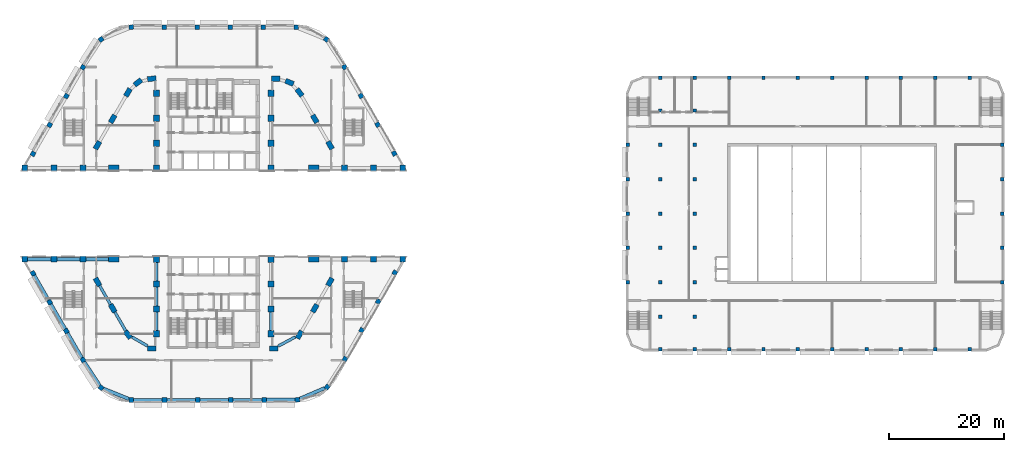
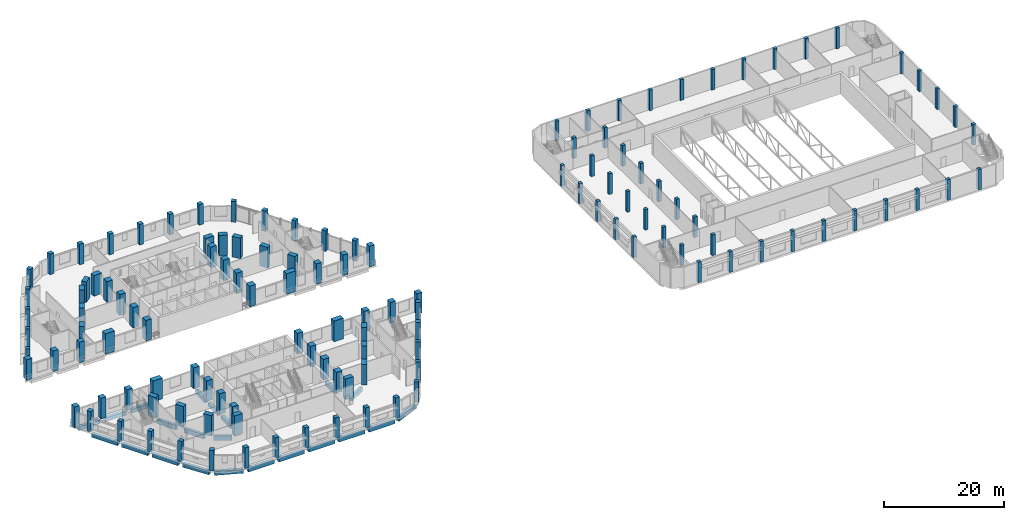
# One storey, part 1 of 47: 126 columns, 22 beams.
"""IFC4 building model written with IfcOpenShell, lengths in metres."""

from ifc_helpers import new_model, si_unit, direction, frame, origin, origin_2d, place, context, subcontext, project, spatial, rectangle, extrude, material, material_profile, profile_set, type_object, element, save


model = new_model("IFC4")

# Units and contexts
model_context = context("Model", 3, precision=1e-05, world=origin(), true_north=direction((0.0, 1.0)))
body_context = subcontext(model_context, "Body", "Model", "MODEL_VIEW")
ifc_project = project(units=[si_unit("LENGTHUNIT", "METRE"), si_unit("AREAUNIT", "SQUARE_METRE"), si_unit("VOLUMEUNIT", "CUBIC_METRE"), si_unit("PLANEANGLEUNIT", "RADIAN"), si_unit("MASSUNIT", "GRAM", prefix="KILO")], contexts=[model_context])

# Site, building, storey
site_placement = place(None, origin())
site = spatial("IfcSite", under=ifc_project, at=site_placement, CompositionType="ELEMENT")
building_placement = place(site_placement, origin())
building = spatial("IfcBuilding", under=site, at=building_placement, Name="Nakaniwa Court", CompositionType="ELEMENT")
storey_placement = place(building_placement, frame((0.0, 0.0, 15.60009765625)))
storey = spatial("IfcBuildingStorey", under=building, at=storey_placement, Name="L03", CompositionType="ELEMENT", Elevation=15.60009765625)

# Columns
ifc_material_1 = material(Name="Concrete C100/115", Category="concrete")
ifc_material_profile_1 = material_profile(ifc_material_1, rectangle(XDim=1.0, YDim=1.0, at=origin_2d()), Name="Concrete C100/115 RC 1000x1000 portal edge column")
ifc_profile_set_1 = profile_set([ifc_material_profile_1], Name="Concrete C100/115")
column_type_1 = type_object("IfcColumnType", Name="Concrete C100/115 RC 1000x1000 portal edge column", PredefinedType="COLUMN", material=ifc_profile_set_1)
for number, where, z_axis, x_axis, name in (
    (1, (102.822998046875, 87.949951171875, 0.0), (0.0, 0.0, 1.0), (1.0, 0.0, 0.0), "COLUMN CP-03"),
    (2, (102.822998046875, 72.050048828125, 0.0), (0.0, 0.0, 1.0), (1.0, 0.0, 0.0), "COLUMN CP-04"),
    (3, (107.908935546875, 87.949951171875, 0.0), (0.0, 0.0, 1.0), (1.0, 0.0, 0.0), "COLUMN CP-05"),
    (4, (107.908935546875, 72.050048828125, 0.0), (0.0, 0.0, 1.0), (1.0, 0.0, 0.0), "COLUMN CP-06"),
    (5, (112.99609375, 87.949951171875, 0.0), (0.0, 0.0, 1.0), (1.0, 0.0, 0.0), "COLUMN CP-07"),
    (6, (112.99609375, 72.050048828125, 0.0), (0.0, 0.0, 1.0), (1.0, 0.0, 0.0), "COLUMN CP-08"),
    (7, (57.177001953125, 87.949951171875, 0.0), (0.0, 0.0, 1.0), (1.0, 0.0, 0.0), "COLUMN CP-11"),
    (8, (57.177001953125, 72.050048828125, 0.0), (0.0, 0.0, 1.0), (1.0, 0.0, 0.0), "COLUMN CP-12"),
    (9, (52.091064453125, 87.949951171875, 0.0), (0.0, 0.0, 1.0), (1.0, 0.0, 0.0), "COLUMN CP-13"),
    (10, (52.091064453125, 72.050048828125, 0.0), (0.0, 0.0, 1.0), (1.0, 0.0, 0.0), "COLUMN CP-14"),
    (11, (47.00390625, 87.949951171875, 0.0), (0.0, 0.0, 1.0), (1.0, 0.0, 0.0), "COLUMN CP-15"),
    (12, (47.00390625, 72.050048828125, 0.0), (0.0, 0.0, 1.0), (1.0, 0.0, 0.0), "COLUMN CP-16"),
):
    element("IfcColumn", number, at=place(storey_placement, frame(where, z_axis=z_axis, x_axis=x_axis)), inside=storey, type_object=column_type_1, Name=name, PredefinedType="COLUMN", context=body_context, shape_type="SweptSolid", body=[
        extrude(rectangle(XDim=1.0, YDim=1.0, at=origin_2d()), origin(), (0.0, 0.0, 1.0), 4.199951171875),
    ])
ifc_material_profile_2 = material_profile(ifc_material_1, rectangle(XDim=1.10009765625, YDim=1.10009765625, at=origin_2d()), Name="Concrete C100/115 RC 1100x1100 spine column")
ifc_profile_set_2 = profile_set([ifc_material_profile_2], Name="Concrete C100/115")
column_type_2 = type_object("IfcColumnType", Name="Concrete C100/115 RC 1100x1100 spine column", PredefinedType="COLUMN", material=ifc_profile_set_2)
for number, where, z_axis, x_axis, name in (
    (13, (90.0, 59.0, 0.0), (0.0, 0.0, 1.0), (0.0, 1.0, 0.0), "COLUMN CS-01"),
    (14, (90.0, 63.35009765625, 0.0), (0.0, 0.0, 1.0), (0.0, 1.0, 0.0), "COLUMN CS-02"),
    (15, (90.0, 67.699951171875, 0.0), (0.0, 0.0, 1.0), (0.0, 1.0, 0.0), "COLUMN CS-03"),
    (16, (90.0, 72.050048828125, 0.0), (0.0, 0.0, 1.0), (0.0, 1.0, 0.0), "COLUMN CS-04"),
    (17, (90.0, 87.949951171875, 0.0), (0.0, 0.0, 1.0), (0.0, 1.0, 0.0), "COLUMN CS-07"),
    (18, (90.0, 92.300048828125, 0.0), (0.0, 0.0, 1.0), (0.0, 1.0, 0.0), "COLUMN CS-08"),
    (19, (90.0, 96.64990234375, 0.0), (0.0, 0.0, 1.0), (0.0, 1.0, 0.0), "COLUMN CS-09"),
    (20, (90.0, 101.0, 0.0), (0.0, 0.0, 1.0), (0.0, 1.0, 0.0), "COLUMN CS-10"),
    (21, (70.0, 101.0, 0.0), (0.0, 0.0, 1.0), (0.0, -1.0, 0.0), "COLUMN CS-11"),
    (22, (70.0, 96.64990234375, 0.0), (0.0, 0.0, 1.0), (0.0, -1.0, 0.0), "COLUMN CS-12"),
    (23, (70.0, 92.300048828125, 0.0), (0.0, 0.0, 1.0), (0.0, -1.0, 0.0), "COLUMN CS-13"),
    (24, (70.0, 87.949951171875, 0.0), (0.0, 0.0, 1.0), (0.0, -1.0, 0.0), "COLUMN CS-14"),
    (25, (70.0, 72.050048828125, 0.0), (0.0, 0.0, 1.0), (0.0, -1.0, 0.0), "COLUMN CS-17"),
    (26, (70.0, 67.699951171875, 0.0), (0.0, 0.0, 1.0), (0.0, -1.0, 0.0), "COLUMN CS-18"),
    (27, (70.0, 63.35009765625, 0.0), (0.0, 0.0, 1.0), (0.0, -1.0, 0.0), "COLUMN CS-19"),
    (28, (70.0, 59.0, 0.0), (0.0, 0.0, 1.0), (0.0, -1.0, 0.0), "COLUMN CS-20"),
):
    element("IfcColumn", number, at=place(storey_placement, frame(where, z_axis=z_axis, x_axis=x_axis)), inside=storey, type_object=column_type_2, Name=name, PredefinedType="COLUMN", context=body_context, shape_type="SweptSolid", body=[
        extrude(rectangle(XDim=1.10009765625, YDim=1.10009765625, at=origin_2d()), origin(), (0.0, 0.0, 1.0), 4.199951171875),
    ])
ifc_material_profile_3 = material_profile(ifc_material_1, rectangle(XDim=1.5, YDim=0.89990234375, at=origin_2d()), Name="Concrete C100/115 RC 1500x900 perimeter column")
ifc_profile_set_3 = profile_set([ifc_material_profile_3], Name="Concrete C100/115")
column_type_3 = type_object("IfcColumnType", Name="Concrete C100/115 RC 1500x900 perimeter column", PredefinedType="COLUMN", material=ifc_profile_set_3)
for number, where, z_axis, x_axis, name in (
    (29, (69.17529296875, 103.550048828125, 0.0), (0.0, 0.0, 1.0), (-0.991442583111, -0.130543496177, 0.0), "COLUMN CO-01"),
    (30, (66.772705078125, 102.91015625, 0.0), (0.0, 0.0, 1.0), (-0.793363965062, -0.608747582288, 0.0), "COLUMN CO-02"),
    (31, (65.017578125, 101.1494140625, 0.0), (0.0, 0.0, 1.0), (-0.5, -0.866025403784, 0.0), "COLUMN CO-03"),
    (32, (62.3544921875, 96.537109375, 0.0), (0.0, 0.0, 1.0), (-0.5, -0.866025403784, 0.0), "COLUMN CO-04"),
    (33, (59.691650390625, 91.9248046875, 0.0), (0.0, 0.0, 1.0), (-0.5, -0.866025403784, 0.0), "COLUMN CO-05"),
    (34, (59.691650390625, 68.0751953125, 0.0), (0.0, 0.0, 1.0), (0.5, -0.866025403784, 0.0), "COLUMN CO-14"),
    (35, (62.3544921875, 63.462890625, 0.0), (0.0, 0.0, 1.0), (0.5, -0.866025403784, 0.0), "COLUMN CO-15"),
    (36, (65.017578125, 58.8505859375, 0.0), (0.0, 0.0, 1.0), (0.608761429009, -0.793353340291, 0.0), "COLUMN CO-16"),
    (37, (69.17529296875, 56.449951171875, 0.0), (0.0, 0.0, 1.0), (1.0, 0.0, 0.0), "COLUMN CO-17"),
    (38, (90.507080078125, 56.449951171875, 0.0), (0.0, 0.0, 1.0), (1.0, 0.0, 0.0), "COLUMN CO-21"),
    (39, (94.982421875, 58.8505859375, 0.0), (0.0, 0.0, 1.0), (0.5, 0.866025403784, 0.0), "COLUMN CO-22"),
    (40, (97.6455078125, 63.462890625, 0.0), (0.0, 0.0, 1.0), (0.5, 0.866025403784, 0.0), "COLUMN CO-23"),
    (41, (100.308349609375, 68.0751953125, 0.0), (0.0, 0.0, 1.0), (0.5, 0.866025403784, 0.0), "COLUMN CO-24"),
    (42, (100.308349609375, 91.9248046875, 0.0), (0.0, 0.0, 1.0), (-0.5, 0.866025403784, 0.0), "COLUMN CO-33"),
    (43, (97.6455078125, 96.537109375, 0.0), (0.0, 0.0, 1.0), (-0.5, 0.866025403784, 0.0), "COLUMN CO-34"),
    (44, (94.982421875, 101.1494140625, 0.0), (0.0, 0.0, 1.0), (-0.608761429009, 0.793353340291, 0.0), "COLUMN CO-35"),
    (45, (93.227294921875, 102.91015625, 0.0), (0.0, 0.0, 1.0), (-0.923879532511, 0.382683432365, 0.0), "COLUMN CO-36"),
    (46, (90.82470703125, 103.550048828125, 0.0), (0.0, 0.0, 1.0), (-1.0, 0.0, 0.0), "COLUMN CO-37"),
):
    element("IfcColumn", number, at=place(storey_placement, frame(where, z_axis=z_axis, x_axis=x_axis)), inside=storey, type_object=column_type_3, Name=name, PredefinedType="COLUMN", context=body_context, shape_type="SweptSolid", body=[
        extrude(rectangle(XDim=1.5, YDim=0.89990234375, at=origin_2d()), origin(), (0.0, 0.0, 1.0), 4.199951171875),
    ])
ifc_material_profile_4 = material_profile(ifc_material_1, rectangle(XDim=1.800048828125, YDim=1.0, at=origin_2d()), Name="Concrete C100/115 RC 1800x1000 portal edge column")
ifc_profile_set_4 = profile_set([ifc_material_profile_4], Name="Concrete C100/115")
column_type_4 = type_object("IfcColumnType", Name="Concrete C100/115 RC 1800x1000 portal edge column", PredefinedType="COLUMN", material=ifc_profile_set_4)
for number, where, z_axis, x_axis, name in (
    (47, (97.4580078125, 87.949951171875, 0.0), (0.0, 0.0, 1.0), (1.0, 0.0, 0.0), "COLUMN CP-01"),
    (48, (97.4580078125, 72.050048828125, 0.0), (0.0, 0.0, 1.0), (1.0, 0.0, 0.0), "COLUMN CP-02"),
    (49, (62.5419921875, 87.949951171875, 0.0), (0.0, 0.0, 1.0), (1.0, 0.0, 0.0), "COLUMN CP-09"),
    (50, (62.5419921875, 72.050048828125, 0.0), (0.0, 0.0, 1.0), (1.0, 0.0, 0.0), "COLUMN CP-10"),
):
    element("IfcColumn", number, at=place(storey_placement, frame(where, z_axis=z_axis, x_axis=x_axis)), inside=storey, type_object=column_type_4, Name=name, PredefinedType="COLUMN", context=body_context, shape_type="SweptSolid", body=[
        extrude(rectangle(XDim=1.800048828125, YDim=1.0, at=origin_2d()), origin(), (0.0, 0.0, 1.0), 4.199951171875),
    ])
ifc_material_profile_5 = material_profile(ifc_material_1, rectangle(XDim=0.800048828125, YDim=0.800048828125, at=origin_2d()), Name="Concrete C100/115 RC 800x800 podium skirt column")
ifc_profile_set_5 = profile_set([ifc_material_profile_5], Name="Concrete C100/115")
column_type_5 = type_object("IfcColumnType", Name="Concrete C100/115 RC 800x800 podium skirt column", PredefinedType="COLUMN", material=ifc_profile_set_5)
for number, where, z_axis, x_axis, name in (
    (51, (65.595703125, 112.550048828125, 0.0), (0.0, 0.0, 1.0), (-0.991444861374, -0.13052619222, 0.0), "COLUMN CK-01"),
    (52, (60.32763671875, 110.41064453125, 0.0), (0.0, 0.0, 1.0), (-0.793353340291, -0.608761429009, 0.0), "COLUMN CK-02"),
    (53, (57.165771484375, 105.550048828125, 0.0), (0.0, 0.0, 1.0), (-0.5, -0.866025403784, 0.0), "COLUMN CK-03"),
    (54, (54.25732421875, 100.5126953125, 0.0), (0.0, 0.0, 1.0), (-0.5, -0.866025403784, 0.0), "COLUMN CK-04"),
    (55, (51.34912109375, 95.47509765625, 0.0), (0.0, 0.0, 1.0), (-0.5, -0.866025403784, 0.0), "COLUMN CK-05"),
    (56, (48.440673828125, 90.437744140625, 0.0), (0.0, 0.0, 1.0), (-0.5, -0.866025403784, 0.0), "COLUMN CK-06"),
    (57, (48.440673828125, 69.562255859375, 0.0), (0.0, 0.0, 1.0), (0.5, -0.866025403784, 0.0), "COLUMN CK-10"),
    (58, (51.34912109375, 64.52490234375, 0.0), (0.0, 0.0, 1.0), (0.5, -0.866025403784, 0.0), "COLUMN CK-11"),
    (59, (54.25732421875, 59.4873046875, 0.0), (0.0, 0.0, 1.0), (0.5, -0.866025403784, 0.0), "COLUMN CK-12"),
    (60, (57.165771484375, 54.449951171875, 0.0), (0.0, 0.0, 1.0), (0.5, -0.866025403784, 0.0), "COLUMN CK-13"),
    (61, (60.32763671875, 49.58935546875, 0.0), (0.0, 0.0, 1.0), (0.793353340291, -0.608761429009, 0.0), "COLUMN CK-14"),
    (62, (65.595703125, 47.449951171875, 0.0), (0.0, 0.0, 1.0), (1.0, 0.0, 0.0), "COLUMN CK-15"),
    (63, (71.39794921875, 47.449951171875, 0.0), (0.0, 0.0, 1.0), (1.0, 0.0, 0.0), "COLUMN CK-16"),
    (64, (77.2001953125, 47.449951171875, 0.0), (0.0, 0.0, 1.0), (1.0, 0.0, 0.0), "COLUMN CK-17"),
    (65, (83.00244140625, 47.449951171875, 0.0), (0.0, 0.0, 1.0), (1.0, 0.0, 0.0), "COLUMN CK-18"),
    (66, (88.8046875, 47.449951171875, 0.0), (0.0, 0.0, 1.0), (1.0, 0.0, 0.0), "COLUMN CK-19"),
    (67, (94.605224609375, 47.4765625, 0.0), (0.0, 0.0, 1.0), (0.991444861374, 0.13052619222, 0.0), "COLUMN CK-20"),
    (68, (99.8095703125, 49.716064453125, 0.0), (0.0, 0.0, 1.0), (0.608761429009, 0.793353340291, 0.0), "COLUMN CK-21"),
    (69, (102.921142578125, 54.600341796875, 0.0), (0.0, 0.0, 1.0), (0.5, 0.866025403784, 0.0), "COLUMN CK-22"),
    (70, (105.822265625, 59.62548828125, 0.0), (0.0, 0.0, 1.0), (0.5, 0.866025403784, 0.0), "COLUMN CK-23"),
    (71, (108.723388671875, 64.650390625, 0.0), (0.0, 0.0, 1.0), (0.5, 0.866025403784, 0.0), "COLUMN CK-24"),
    (72, (111.62451171875, 69.67529296875, 0.0), (0.0, 0.0, 1.0), (0.5, 0.866025403784, 0.0), "COLUMN CK-25"),
    (73, (111.523193359375, 90.50048828125, 0.0), (0.0, 0.0, 1.0), (-0.5, 0.866025403784, 0.0), "COLUMN CK-29"),
    (74, (108.6220703125, 95.525390625, 0.0), (0.0, 0.0, 1.0), (-0.5, 0.866025403784, 0.0), "COLUMN CK-30"),
    (75, (105.720703125, 100.55029296875, 0.0), (0.0, 0.0, 1.0), (-0.5, 0.866025403784, 0.0), "COLUMN CK-31"),
    (76, (102.819580078125, 105.5751953125, 0.0), (0.0, 0.0, 1.0), (-0.5, 0.866025403784, 0.0), "COLUMN CK-32"),
    (77, (99.660888671875, 110.41943359375, 0.0), (0.0, 0.0, 1.0), (-0.793353340291, 0.608761429009, 0.0), "COLUMN CK-33"),
    (78, (94.404296875, 112.550048828125, 0.0), (0.0, 0.0, 1.0), (-1.0, 0.0, 0.0), "COLUMN CK-34"),
    (79, (88.642578125, 112.550048828125, 0.0), (0.0, 0.0, 1.0), (-1.0, 0.0, 0.0), "COLUMN CK-35"),
    (80, (82.880859375, 112.550048828125, 0.0), (0.0, 0.0, 1.0), (-1.0, 0.0, 0.0), "COLUMN CK-36"),
    (81, (77.119140625, 112.550048828125, 0.0), (0.0, 0.0, 1.0), (-1.0, 0.0, 0.0), "COLUMN CK-37"),
    (82, (71.357421875, 112.550048828125, 0.0), (0.0, 0.0, 1.0), (-1.0, 0.0, 0.0), "COLUMN CK-38"),
):
    element("IfcColumn", number, at=place(storey_placement, frame(where, z_axis=z_axis, x_axis=x_axis)), inside=storey, type_object=column_type_5, Name=name, PredefinedType="COLUMN", context=body_context, shape_type="SweptSolid", body=[
        extrude(rectangle(XDim=0.800048828125, YDim=0.800048828125, at=origin_2d()), origin(), (0.0, 0.0, 1.0), 4.199951171875),
    ])
ifc_material_2 = material(Name="Concrete C50/60", Category="concrete")
ifc_material_profile_6 = material_profile(ifc_material_2, rectangle(XDim=0.60009765625, YDim=0.60009765625, at=origin_2d()), Name="RC 600x600")
ifc_profile_set_6 = profile_set([ifc_material_profile_6], Name="Concrete C50/60")
column_type_6 = type_object("IfcColumnType", Name="Hall column RC 600x600 C50/60", PredefinedType="COLUMN", material=ifc_profile_set_6)
for number, where, z_axis, x_axis, name in (
    (83, (158.0, 56.300048828125, 0.0), (0.0, 0.0, 1.0), (1.0, 0.0, 0.0), "Hall column S1 L03"),
    (84, (158.0, 103.699951171875, 0.0), (0.0, 0.0, 1.0), (1.0, 0.0, 0.0), "Hall column N1 L03"),
    (85, (164.0, 56.300048828125, 0.0), (0.0, 0.0, 1.0), (1.0, 0.0, 0.0), "Hall column S2 L03"),
    (86, (164.0, 103.699951171875, 0.0), (0.0, 0.0, 1.0), (1.0, 0.0, 0.0), "Hall column N2 L03"),
    (87, (170.0, 56.300048828125, 0.0), (0.0, 0.0, 1.0), (1.0, 0.0, 0.0), "Hall column S3 L03"),
    (88, (170.0, 103.699951171875, 0.0), (0.0, 0.0, 1.0), (1.0, 0.0, 0.0), "Hall column N3 L03"),
    (89, (176.0, 56.300048828125, 0.0), (0.0, 0.0, 1.0), (1.0, 0.0, 0.0), "Hall column S4 L03"),
    (90, (176.0, 103.699951171875, 0.0), (0.0, 0.0, 1.0), (1.0, 0.0, 0.0), "Hall column N4 L03"),
    (91, (182.0, 56.300048828125, 0.0), (0.0, 0.0, 1.0), (1.0, 0.0, 0.0), "Hall column S5 L03"),
    (92, (182.0, 103.699951171875, 0.0), (0.0, 0.0, 1.0), (1.0, 0.0, 0.0), "Hall column N5 L03"),
    (93, (188.0, 56.300048828125, 0.0), (0.0, 0.0, 1.0), (1.0, 0.0, 0.0), "Hall column S6 L03"),
    (94, (188.0, 103.699951171875, 0.0), (0.0, 0.0, 1.0), (1.0, 0.0, 0.0), "Hall column N6 L03"),
    (95, (194.0, 56.300048828125, 0.0), (0.0, 0.0, 1.0), (1.0, 0.0, 0.0), "Hall column S7 L03"),
    (96, (194.0, 103.699951171875, 0.0), (0.0, 0.0, 1.0), (1.0, 0.0, 0.0), "Hall column N7 L03"),
    (97, (200.0, 56.300048828125, 0.0), (0.0, 0.0, 1.0), (1.0, 0.0, 0.0), "Hall column S8 L03"),
    (98, (200.0, 103.699951171875, 0.0), (0.0, 0.0, 1.0), (1.0, 0.0, 0.0), "Hall column N8 L03"),
    (99, (206.0, 56.300048828125, 0.0), (0.0, 0.0, 1.0), (1.0, 0.0, 0.0), "Hall column S9 L03"),
    (100, (206.0, 103.699951171875, 0.0), (0.0, 0.0, 1.0), (1.0, 0.0, 0.0), "Hall column N9 L03"),
    (101, (212.0, 56.300048828125, 0.0), (0.0, 0.0, 1.0), (1.0, 0.0, 0.0), "Hall column S10 L03"),
    (102, (212.0, 103.699951171875, 0.0), (0.0, 0.0, 1.0), (1.0, 0.0, 0.0), "Hall column N10 L03"),
    (103, (152.300048828125, 68.0, 0.0), (0.0, 0.0, 1.0), (1.0, 0.0, 0.0), "Hall column W2 L03"),
    (104, (217.699951171875, 68.0, 0.0), (0.0, 0.0, 1.0), (1.0, 0.0, 0.0), "Hall column E2 L03"),
    (105, (152.300048828125, 74.0, 0.0), (0.0, 0.0, 1.0), (1.0, 0.0, 0.0), "Hall column W3 L03"),
    (106, (217.699951171875, 74.0, 0.0), (0.0, 0.0, 1.0), (1.0, 0.0, 0.0), "Hall column E3 L03"),
    (107, (152.300048828125, 80.0, 0.0), (0.0, 0.0, 1.0), (1.0, 0.0, 0.0), "Hall column W4 L03"),
    (108, (217.699951171875, 80.0, 0.0), (0.0, 0.0, 1.0), (1.0, 0.0, 0.0), "Hall column E4 L03"),
    (109, (152.300048828125, 86.0, 0.0), (0.0, 0.0, 1.0), (1.0, 0.0, 0.0), "Hall column W5 L03"),
    (110, (217.699951171875, 86.0, 0.0), (0.0, 0.0, 1.0), (1.0, 0.0, 0.0), "Hall column E5 L03"),
    (111, (152.300048828125, 92.0, 0.0), (0.0, 0.0, 1.0), (1.0, 0.0, 0.0), "Hall column W6 L03"),
    (112, (217.699951171875, 92.0, 0.0), (0.0, 0.0, 1.0), (1.0, 0.0, 0.0), "Hall column E6 L03"),
    (113, (158.0, 62.0, 0.0), (0.0, 0.0, 1.0), (1.0, 0.0, 0.0), "Hall column F1-1 L03"),
    (114, (158.0, 68.0, 0.0), (0.0, 0.0, 1.0), (1.0, 0.0, 0.0), "Hall column F1-2 L03"),
    (115, (158.0, 74.0, 0.0), (0.0, 0.0, 1.0), (1.0, 0.0, 0.0), "Hall column F1-3 L03"),
    (116, (158.0, 80.0, 0.0), (0.0, 0.0, 1.0), (1.0, 0.0, 0.0), "Hall column F1-4 L03"),
    (117, (158.0, 86.0, 0.0), (0.0, 0.0, 1.0), (1.0, 0.0, 0.0), "Hall column F1-5 L03"),
    (118, (158.0, 92.0, 0.0), (0.0, 0.0, 1.0), (1.0, 0.0, 0.0), "Hall column F1-6 L03"),
    (119, (158.0, 98.0, 0.0), (0.0, 0.0, 1.0), (1.0, 0.0, 0.0), "Hall column F1-7 L03"),
    (120, (164.0, 62.0, 0.0), (0.0, 0.0, 1.0), (1.0, 0.0, 0.0), "Hall column F2-1 L03"),
    (121, (164.0, 68.0, 0.0), (0.0, 0.0, 1.0), (1.0, 0.0, 0.0), "Hall column F2-2 L03"),
    (122, (164.0, 74.0, 0.0), (0.0, 0.0, 1.0), (1.0, 0.0, 0.0), "Hall column F2-3 L03"),
    (123, (164.0, 80.0, 0.0), (0.0, 0.0, 1.0), (1.0, 0.0, 0.0), "Hall column F2-4 L03"),
    (124, (164.0, 86.0, 0.0), (0.0, 0.0, 1.0), (1.0, 0.0, 0.0), "Hall column F2-5 L03"),
    (125, (164.0, 92.0, 0.0), (0.0, 0.0, 1.0), (1.0, 0.0, 0.0), "Hall column F2-6 L03"),
    (126, (164.0, 98.0, 0.0), (0.0, 0.0, 1.0), (1.0, 0.0, 0.0), "Hall column F2-7 L03"),
):
    element("IfcColumn", number, at=place(storey_placement, frame(where, z_axis=z_axis, x_axis=x_axis)), inside=storey, type_object=column_type_6, Name=name, PredefinedType="COLUMN", context=body_context, shape_type="SweptSolid", body=[
        extrude(rectangle(XDim=0.60009765625, YDim=0.60009765625, at=origin_2d()), origin(), (0.0, 0.0, 1.0), 4.199951171875),
    ])

# Beams
ifc_material_profile_7 = material_profile(ifc_material_1, rectangle(XDim=0.5, YDim=0.89990234375, at=origin_2d()), Name="Concrete C100/115 RC 500x900 spandrel beam")
ifc_profile_set_7 = profile_set([ifc_material_profile_7], Name="Concrete C100/115")
beam_type_1 = type_object("IfcBeamType", Name="Concrete C100/115 RC 500x900 spandrel beam", PredefinedType="BEAM", material=ifc_profile_set_7)
beam_1_placement = place(storey_placement, frame((60.066650390625, 67.42578125, -0.75), z_axis=(0.499961815444, -0.866047448526, 0.0), x_axis=(0.866047448526, 0.499961815444, 0.0)))
element("IfcBeam", 127, at=beam_1_placement, inside=storey, type_object=beam_type_1, Name="SPANDREL BEAM", PredefinedType="BEAM", context=body_context, shape_type="SweptSolid", body=[
    extrude(rectangle(XDim=0.5, YDim=0.89990234375, at=origin_2d()), origin(), (0.0, 0.0, 1.0), 3.825927734375),
])
beam_2_placement = place(storey_placement, frame((62.7294921875, 62.8134765625, -0.75), z_axis=(0.500023067617, -0.86601208528, 0.0), x_axis=(0.86601208528, 0.500023067617, 0.0)))
element("IfcBeam", 128, at=beam_2_placement, inside=storey, type_object=beam_type_1, Name="SPANDREL BEAM", PredefinedType="BEAM", context=body_context, shape_type="SweptSolid", body=[
    extrude(rectangle(XDim=0.5, YDim=0.89990234375, at=origin_2d()), origin(), (0.0, 0.0, 1.0), 3.819580078125),
])
beam_3_placement = place(storey_placement, frame((65.720458984375, 58.444580078125, -0.75), z_axis=(0.866041096587, -0.499972818284, 0.0), x_axis=(0.499972818284, 0.866041096587, 0.0)))
element("IfcBeam", 129, at=beam_3_placement, inside=storey, type_object=beam_type_1, Name="SPANDREL BEAM", PredefinedType="BEAM", context=body_context, shape_type="SweptSolid", body=[
    extrude(rectangle(XDim=0.5, YDim=0.89990234375, at=origin_2d()), origin(), (0.0, 0.0, 1.0), 3.123291015625),
])
beam_4_placement = place(storey_placement, frame((91.257080078125, 56.852294921875, -0.75), z_axis=(0.881234537383, 0.472679267711, 0.0), x_axis=(-0.472679267711, 0.881234537383, 0.0)))
element("IfcBeam", 130, at=beam_4_placement, inside=storey, type_object=beam_type_1, Name="SPANDREL BEAM", PredefinedType="BEAM", context=body_context, shape_type="SweptSolid", body=[
    extrude(rectangle(XDim=0.5, YDim=0.89990234375, at=origin_2d()), origin(), (0.0, 0.0, 1.0), 3.373291015625),
])
ifc_material_profile_8 = material_profile(ifc_material_1, rectangle(XDim=0.60009765625, YDim=0.75, at=origin_2d()), Name="Concrete C100/115 RC 600x750 ring beam")
ifc_profile_set_8 = profile_set([ifc_material_profile_8], Name="Concrete C100/115")
beam_type_2 = type_object("IfcBeamType", Name="Concrete C100/115 RC 600x750 ring beam", PredefinedType="BEAM", material=ifc_profile_set_8)
for number, where, z_axis, x_axis, name in (
    (131, (90.0, 59.550048828125, -0.675048828125), (0.0, 1.0, 0.0), (-1.0, 0.0, 0.0), "RING BEAM"),
    (132, (70.0, 71.5, -0.675048828125), (0.0, -1.0, 0.0), (1.0, 0.0, 0.0), "RING BEAM"),
    (133, (70.0, 67.14990234375, -0.675048828125), (0.0, -1.0, 0.0), (1.0, 0.0, 0.0), "RING BEAM"),
    (134, (70.0, 62.800048828125, -0.675048828125), (0.0, -1.0, 0.0), (1.0, 0.0, 0.0), "RING BEAM"),
):
    element("IfcBeam", number, at=place(storey_placement, frame(where, z_axis=z_axis, x_axis=x_axis)), inside=storey, type_object=beam_type_2, Name=name, PredefinedType="BEAM", context=body_context, shape_type="SweptSolid", body=[
        extrude(rectangle(XDim=0.60009765625, YDim=0.75, at=origin_2d()), origin(), (0.0, 0.0, 1.0), 3.25),
    ])
for number, where, z_axis, x_axis, name in (
    (135, (48.640625, 69.2158203125, -0.675048828125), (0.500017322015, -0.866015402684, 0.0), (0.866015402684, 0.500017322015, 0.0), "RING BEAM"),
    (136, (51.549072265625, 64.178466796875, -0.675048828125), (0.499980823911, -0.866036474822, 0.0), (0.866036474822, 0.499980823911, 0.0), "RING BEAM"),
    (137, (54.45751953125, 59.14111328125, -0.675048828125), (0.499980823911, -0.866036474822, 0.0), (0.866036474822, 0.499980823911, 0.0), "RING BEAM"),
):
    element("IfcBeam", number, at=place(storey_placement, frame(where, z_axis=z_axis, x_axis=x_axis)), inside=storey, type_object=beam_type_2, Name=name, PredefinedType="BEAM", context=body_context, shape_type="SweptSolid", body=[
        extrude(rectangle(XDim=0.60009765625, YDim=0.75, at=origin_2d()), origin(), (0.0, 0.0, 1.0), 5.016845703125),
    ])
beam_5_placement = place(storey_placement, frame((57.38427734375, 54.114013671875, -0.675048828125), z_axis=(0.545297150408, -0.838242815512, 0.0), x_axis=(0.838242815512, 0.545297150408, 0.0)))
element("IfcBeam", 138, at=beam_5_placement, inside=storey, type_object=beam_type_2, Name="RING BEAM", PredefinedType="BEAM", context=body_context, shape_type="SweptSolid", body=[
    extrude(rectangle(XDim=0.60009765625, YDim=0.75, at=origin_2d()), origin(), (0.0, 0.0, 1.0), 4.9736328125),
])
beam_6_placement = place(storey_placement, frame((60.712158203125, 49.43310546875, -0.675048828125), z_axis=(0.926515496979, -0.376256606397, 0.0), x_axis=(0.376256606397, 0.926515496979, 0.0)))
element("IfcBeam", 139, at=beam_6_placement, inside=storey, type_object=beam_type_2, Name="RING BEAM", PredefinedType="BEAM", context=body_context, shape_type="SweptSolid", body=[
    extrude(rectangle(XDim=0.60009765625, YDim=0.75, at=origin_2d()), origin(), (0.0, 0.0, 1.0), 4.83935546875),
])
beam_7_placement = place(storey_placement, frame((65.99560546875, 47.449951171875, -0.675048828125), z_axis=(1.0, 0.0, 0.0), x_axis=(0.0, 1.0, 0.0)))
element("IfcBeam", 140, at=beam_7_placement, inside=storey, type_object=beam_type_2, Name="RING BEAM", PredefinedType="BEAM", context=body_context, shape_type="SweptSolid", body=[
    extrude(rectangle(XDim=0.60009765625, YDim=0.75, at=origin_2d()), origin(), (0.0, 0.0, 1.0), 5.00244140625),
])
for number, where, z_axis, x_axis, name in (
    (141, (71.798095703125, 47.449951171875, -0.675048828125), (1.0, 0.0, 0.0), (0.0, 1.0, 0.0), "RING BEAM"),
    (142, (77.600341796875, 47.449951171875, -0.675048828125), (1.0, 0.0, 0.0), (0.0, 1.0, 0.0), "RING BEAM"),
    (143, (83.402587890625, 47.449951171875, -0.675048828125), (1.0, 0.0, 0.0), (0.0, 1.0, 0.0), "RING BEAM"),
):
    element("IfcBeam", number, at=place(storey_placement, frame(where, z_axis=z_axis, x_axis=x_axis)), inside=storey, type_object=beam_type_2, Name=name, PredefinedType="BEAM", context=body_context, shape_type="SweptSolid", body=[
        extrude(rectangle(XDim=0.60009765625, YDim=0.75, at=origin_2d()), origin(), (0.0, 0.0, 1.0), 5.002197265625),
    ])
beam_8_placement = place(storey_placement, frame((89.204833984375, 47.451904296875, -0.675048828125), z_axis=(0.999989678664, 0.004543409063, 0.0), x_axis=(-0.004543409063, 0.999989678664, 0.0)))
element("IfcBeam", 144, at=beam_8_placement, inside=storey, type_object=beam_type_2, Name="RING BEAM", PredefinedType="BEAM", context=body_context, shape_type="SweptSolid", body=[
    extrude(rectangle(XDim=0.60009765625, YDim=0.75, at=origin_2d()), origin(), (0.0, 0.0, 1.0), 4.997314453125),
])
beam_9_placement = place(storey_placement, frame((94.987060546875, 47.640869140625, -0.675048828125), z_axis=(0.918566909696, 0.395265521406, 0.0), x_axis=(-0.395265521406, 0.918566909696, 0.0)))
element("IfcBeam", 145, at=beam_9_placement, inside=storey, type_object=beam_type_2, Name="RING BEAM", PredefinedType="BEAM", context=body_context, shape_type="SweptSolid", body=[
    extrude(rectangle(XDim=0.60009765625, YDim=0.75, at=origin_2d()), origin(), (0.0, 0.0, 1.0), 4.791748046875),
])
beam_10_placement = place(storey_placement, frame((47.50390625, 72.050048828125, -0.675048828125), z_axis=(1.0, 0.0, 0.0), x_axis=(0.0, 1.0, 0.0)))
element("IfcBeam", 146, at=beam_10_placement, inside=storey, type_object=beam_type_2, Name="RING BEAM", PredefinedType="BEAM", context=body_context, shape_type="SweptSolid", body=[
    extrude(rectangle(XDim=0.60009765625, YDim=0.75, at=origin_2d()), origin(), (0.0, 0.0, 1.0), 4.087158203125),
])
beam_11_placement = place(storey_placement, frame((52.591064453125, 72.050048828125, -0.675048828125), z_axis=(1.0, 0.0, 0.0), x_axis=(0.0, 1.0, 0.0)))
element("IfcBeam", 147, at=beam_11_placement, inside=storey, type_object=beam_type_2, Name="RING BEAM", PredefinedType="BEAM", context=body_context, shape_type="SweptSolid", body=[
    extrude(rectangle(XDim=0.60009765625, YDim=0.75, at=origin_2d()), origin(), (0.0, 0.0, 1.0), 4.0859375),
])
beam_12_placement = place(storey_placement, frame((57.677001953125, 72.050048828125, -0.675048828125), z_axis=(1.0, 0.0, 0.0), x_axis=(0.0, 1.0, 0.0)))
element("IfcBeam", 148, at=beam_12_placement, inside=storey, type_object=beam_type_2, Name="RING BEAM", PredefinedType="BEAM", context=body_context, shape_type="SweptSolid", body=[
    extrude(rectangle(XDim=0.60009765625, YDim=0.75, at=origin_2d()), origin(), (0.0, 0.0, 1.0), 3.965087890625),
])

save(model, "model.ifc")
